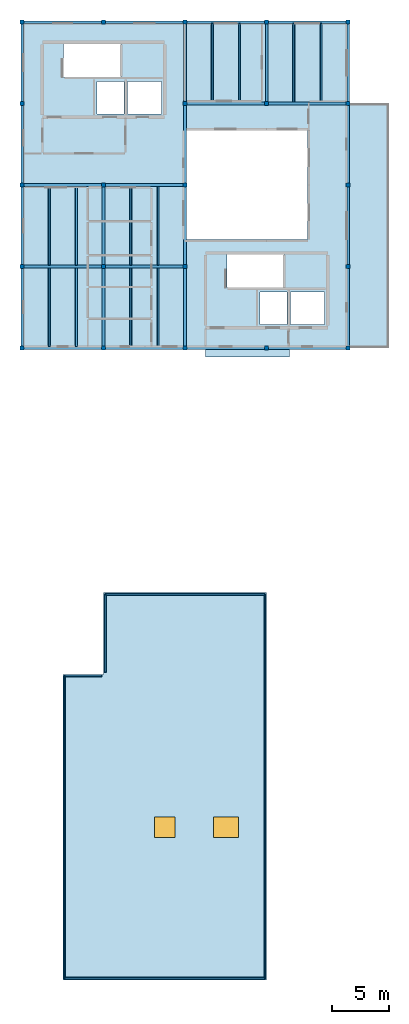
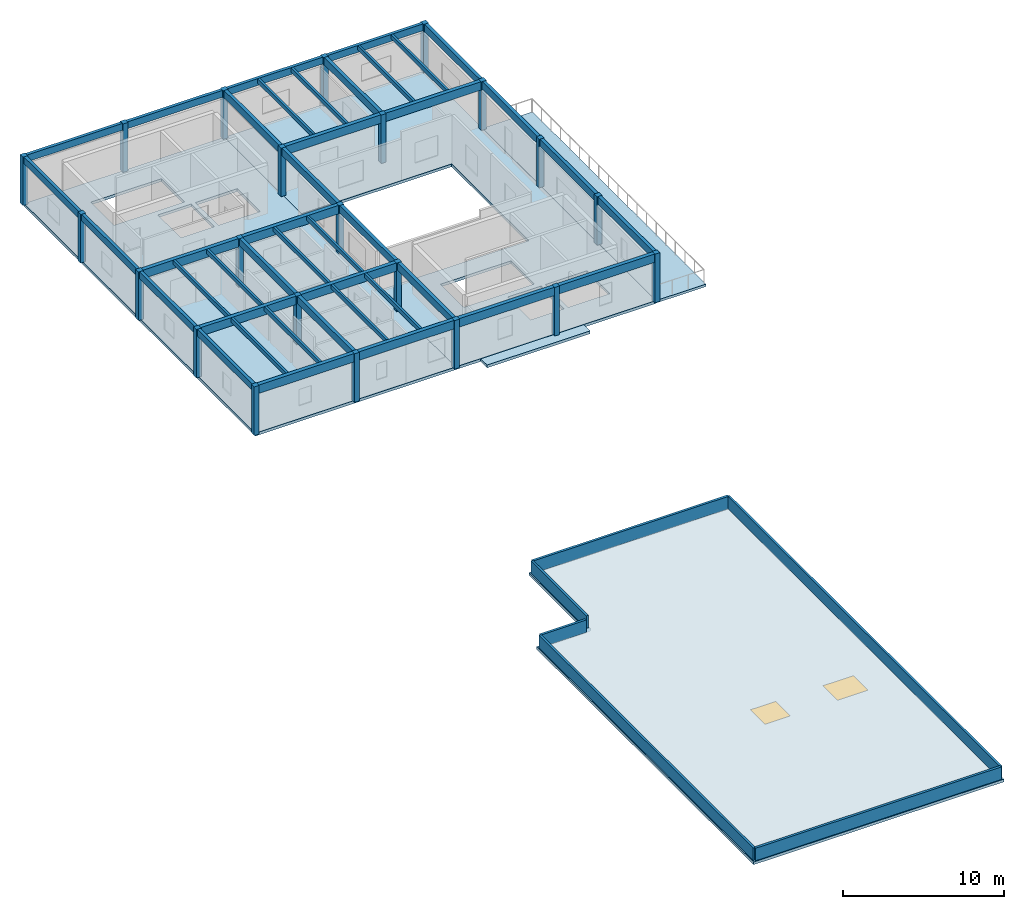
# One storey, part 1 of 5: 41 beams, 22 columns, 6 walls, 5 slabs, 2 windows, 2 openings.
"""IFC4 building model written with IfcOpenShell, lengths in metres."""

from ifc_helpers import new_model, si_unit, direction, frame, frame_2d, origin, origin_2d, place, context, subcontext, project, spatial, polyline, rectangle, outline, extrude, material, layer, layer_set, material_profile, profile_set, type_object, element, fill, save


model = new_model("IFC4")

# Units and contexts
model_context = context("Model", 3, precision=1e-05, world=origin(), true_north=direction((0.0, 1.0)))
body_context = subcontext(model_context, "Body", "Model", "MODEL_VIEW")
ifc_project = project(units=[si_unit("LENGTHUNIT", "METRE"), si_unit("AREAUNIT", "SQUARE_METRE"), si_unit("VOLUMEUNIT", "CUBIC_METRE"), si_unit("PLANEANGLEUNIT", "RADIAN"), si_unit("MASSUNIT", "GRAM", prefix="KILO")], contexts=[model_context])

# Site, building, storey
site_placement = place(None, origin())
site = spatial("IfcSite", under=ifc_project, at=site_placement, CompositionType="ELEMENT")
building_placement = place(site_placement, origin())
building = spatial("IfcBuilding", under=site, at=building_placement, Name="Bramvelor Terrace Health Centre", CompositionType="ELEMENT")
storey_placement = place(building_placement, frame((0.0, 0.0, 21.60009765625)))
storey = spatial("IfcBuildingStorey", under=building, at=storey_placement, Name="L06", CompositionType="ELEMENT", Elevation=21.60009765625)

# Columns
ifc_material_1 = material(Name="Glulam GL28h", Category="wood")
ifc_material_profile_1 = material_profile(ifc_material_1, rectangle(XDim=0.360107421875, YDim=0.360107421875, at=origin_2d()), Name="GL 360x360")
ifc_profile_set_1 = profile_set([ifc_material_profile_1], Name="Glulam GL28h")
column_type_1 = type_object("IfcColumnType", Name="COL-GL-360", PredefinedType="COLUMN", material=ifc_profile_set_1)
for number, where, z_axis, x_axis, name in (
    (1, (7.199951171875, 86.39990234375, 0.0), (0.0, 0.0, 1.0), (1.0, 0.0, 0.0), "L06 Column (7.2, 86.4)"),
    (2, (7.199951171875, 93.60009765625, 0.0), (0.0, 0.0, 1.0), (1.0, 0.0, 0.0), "L06 Column (7.2, 93.6)"),
    (3, (7.199951171875, 100.800048828125, 0.0), (0.0, 0.0, 1.0), (1.0, 0.0, 0.0), "L06 Column (7.2, 100.8)"),
    (4, (14.39990234375, 86.39990234375, 0.0), (0.0, 0.0, 1.0), (1.0, 0.0, 0.0), "L06 Column (14.4, 86.4)"),
    (5, (14.39990234375, 93.60009765625, 0.0), (0.0, 0.0, 1.0), (1.0, 0.0, 0.0), "L06 Column (14.4, 93.6)"),
    (6, (14.39990234375, 100.800048828125, 0.0), (0.0, 0.0, 1.0), (1.0, 0.0, 0.0), "L06 Column (14.4, 100.8)"),
    (7, (14.39990234375, 108.0, 0.0), (0.0, 0.0, 1.0), (1.0, 0.0, 0.0), "L06 Column (14.4, 108.0)"),
    (8, (21.60009765625, 86.39990234375, 0.0), (0.0, 0.0, 1.0), (1.0, 0.0, 0.0), "L06 Column (21.6, 86.4)"),
    (9, (21.60009765625, 108.0, 0.0), (0.0, 0.0, 1.0), (1.0, 0.0, 0.0), "L06 Column (21.6, 108.0)"),
    (10, (28.800048828125, 86.39990234375, 0.0), (0.0, 0.0, 1.0), (1.0, 0.0, 0.0), "L06 Column (28.8, 86.4)"),
    (11, (28.800048828125, 93.60009765625, 0.0), (0.0, 0.0, 1.0), (1.0, 0.0, 0.0), "L06 Column (28.8, 93.6)"),
    (12, (28.800048828125, 100.800048828125, 0.0), (0.0, 0.0, 1.0), (1.0, 0.0, 0.0), "L06 Column (28.8, 100.8)"),
    (13, (28.800048828125, 108.0, 0.0), (0.0, 0.0, 1.0), (1.0, 0.0, 0.0), "L06 Column (28.8, 108.0)"),
):
    element("IfcColumn", number, at=place(storey_placement, frame(where, z_axis=z_axis, x_axis=x_axis)), inside=storey, type_object=column_type_1, Name=name, PredefinedType="COLUMN", context=body_context, shape_type="SweptSolid", body=[
        extrude(rectangle(XDim=0.360107421875, YDim=0.360107421875, at=origin_2d()), origin(), (0.0, 0.0, 1.0), 3.68994140625),
    ])
ifc_material_2 = material(Name="Glulam GL28h", Category="wood")
ifc_material_profile_2 = material_profile(ifc_material_2, rectangle(XDim=0.360107421875, YDim=0.360107421875, at=origin_2d()), Name="GL 360x360")
ifc_profile_set_2 = profile_set([ifc_material_profile_2], Name="Glulam GL28h")
column_type_2 = type_object("IfcColumnType", Name="COL-GL-360-EXT", PredefinedType="COLUMN", material=ifc_profile_set_2)
for number, where, z_axis, x_axis, name in (
    (14, (0.0, 86.39990234375, 0.0), (0.0, 0.0, 1.0), (1.0, 0.0, 0.0), "L06 Column (0.0, 86.4)"),
    (15, (0.0, 93.60009765625, 0.0), (0.0, 0.0, 1.0), (1.0, 0.0, 0.0), "L06 Column (0.0, 93.6)"),
    (16, (0.0, 100.800048828125, 0.0), (0.0, 0.0, 1.0), (1.0, 0.0, 0.0), "L06 Column (0.0, 100.8)"),
    (17, (0.0, 108.0, 0.0), (0.0, 0.0, 1.0), (1.0, 0.0, 0.0), "L06 Column (0.0, 108.0)"),
    (18, (0.0, 115.199951171875, 0.0), (0.0, 0.0, 1.0), (1.0, 0.0, 0.0), "L06 Column (0.0, 115.2)"),
    (19, (7.199951171875, 115.199951171875, 0.0), (0.0, 0.0, 1.0), (1.0, 0.0, 0.0), "L06 Column (7.2, 115.2)"),
    (20, (14.39990234375, 115.199951171875, 0.0), (0.0, 0.0, 1.0), (1.0, 0.0, 0.0), "L06 Column (14.4, 115.2)"),
    (21, (21.60009765625, 115.199951171875, 0.0), (0.0, 0.0, 1.0), (1.0, 0.0, 0.0), "L06 Column (21.6, 115.2)"),
    (22, (28.800048828125, 115.199951171875, 0.0), (0.0, 0.0, 1.0), (1.0, 0.0, 0.0), "L06 Column (28.8, 115.2)"),
):
    element("IfcColumn", number, at=place(storey_placement, frame(where, z_axis=z_axis, x_axis=x_axis)), inside=storey, type_object=column_type_2, Name=name, PredefinedType="COLUMN", context=body_context, shape_type="SweptSolid", body=[
        extrude(rectangle(XDim=0.360107421875, YDim=0.360107421875, at=origin_2d()), origin(), (0.0, 0.0, 1.0), 3.68994140625),
    ])

# Beams
ifc_material_3 = material(Name="Glulam GL28h", Category="wood")
ifc_material_profile_3 = material_profile(ifc_material_3, rectangle(XDim=0.239990234375, YDim=0.56005859375, at=origin_2d()), Name="GL 240x560")
ifc_profile_set_3 = profile_set([ifc_material_profile_3], Name="Glulam GL28h")
beam_type_1 = type_object("IfcBeamType", Name="BM-GL-G560", PredefinedType="BEAM", material=ifc_profile_set_3)
beam_1_placement = place(storey_placement, frame((7.199951171875, 86.580078125, 3.409912109375), z_axis=(0.0, 1.0, 0.0), x_axis=(-1.0, 0.0, 0.0)))
element("IfcBeam", 23, at=beam_1_placement, inside=storey, type_object=beam_type_1, Name="L06 Floor Girder", PredefinedType="BEAM", context=body_context, shape_type="SweptSolid", body=[
    extrude(rectangle(XDim=0.239990234375, YDim=0.56005859375, at=origin_2d()), origin(), (0.0, 0.0, 1.0), 6.83984375),
])
beam_2_placement = place(storey_placement, frame((7.199951171875, 93.780029296875, 3.409912109375), z_axis=(0.0, 1.0, 0.0), x_axis=(-1.0, 0.0, 0.0)))
element("IfcBeam", 24, at=beam_2_placement, inside=storey, type_object=beam_type_1, Name="L06 Floor Girder", PredefinedType="BEAM", context=body_context, shape_type="SweptSolid", body=[
    extrude(rectangle(XDim=0.239990234375, YDim=0.56005859375, at=origin_2d()), origin(), (0.0, 0.0, 1.0), 6.840087890625),
])
beam_3_placement = place(storey_placement, frame((14.39990234375, 86.580078125, 3.409912109375), z_axis=(0.0, 1.0, 0.0), x_axis=(-1.0, 0.0, 0.0)))
element("IfcBeam", 25, at=beam_3_placement, inside=storey, type_object=beam_type_1, Name="L06 Floor Girder", PredefinedType="BEAM", context=body_context, shape_type="SweptSolid", body=[
    extrude(rectangle(XDim=0.239990234375, YDim=0.56005859375, at=origin_2d()), origin(), (0.0, 0.0, 1.0), 6.83984375),
])
for number, where, z_axis, x_axis, name in (
    (26, (14.39990234375, 93.780029296875, 3.409912109375), (0.0, 1.0, 0.0), (-1.0, 0.0, 0.0), "L06 Floor Girder"),
    (27, (14.39990234375, 100.97998046875, 3.409912109375), (0.0, 1.0, 0.0), (-1.0, 0.0, 0.0), "L06 Floor Girder"),
    (28, (14.39990234375, 108.179931640625, 3.409912109375), (0.0, 1.0, 0.0), (-1.0, 0.0, 0.0), "L06 Floor Girder"),
    (29, (21.60009765625, 108.179931640625, 3.409912109375), (0.0, 1.0, 0.0), (-1.0, 0.0, 0.0), "L06 Floor Girder"),
):
    element("IfcBeam", number, at=place(storey_placement, frame(where, z_axis=z_axis, x_axis=x_axis)), inside=storey, type_object=beam_type_1, Name=name, PredefinedType="BEAM", context=body_context, shape_type="SweptSolid", body=[
        extrude(rectangle(XDim=0.239990234375, YDim=0.56005859375, at=origin_2d()), origin(), (0.0, 0.0, 1.0), 6.840087890625),
    ])
beam_4_placement = place(storey_placement, frame((28.800048828125, 86.580078125, 3.409912109375), z_axis=(0.0, 1.0, 0.0), x_axis=(-1.0, 0.0, 0.0)))
element("IfcBeam", 30, at=beam_4_placement, inside=storey, type_object=beam_type_1, Name="L06 Floor Girder", PredefinedType="BEAM", context=body_context, shape_type="SweptSolid", body=[
    extrude(rectangle(XDim=0.239990234375, YDim=0.56005859375, at=origin_2d()), origin(), (0.0, 0.0, 1.0), 6.83984375),
])
for number, where, z_axis, x_axis, name in (
    (31, (28.800048828125, 93.780029296875, 3.409912109375), (0.0, 1.0, 0.0), (-1.0, 0.0, 0.0), "L06 Floor Girder"),
    (32, (28.800048828125, 100.97998046875, 3.409912109375), (0.0, 1.0, 0.0), (-1.0, 0.0, 0.0), "L06 Floor Girder"),
    (33, (28.800048828125, 108.179931640625, 3.409912109375), (0.0, 1.0, 0.0), (-1.0, 0.0, 0.0), "L06 Floor Girder"),
):
    element("IfcBeam", number, at=place(storey_placement, frame(where, z_axis=z_axis, x_axis=x_axis)), inside=storey, type_object=beam_type_1, Name=name, PredefinedType="BEAM", context=body_context, shape_type="SweptSolid", body=[
        extrude(rectangle(XDim=0.239990234375, YDim=0.56005859375, at=origin_2d()), origin(), (0.0, 0.0, 1.0), 6.840087890625),
    ])
ifc_material_4 = material(Name="Glulam GL28h", Category="wood")
ifc_material_profile_4 = material_profile(ifc_material_4, rectangle(XDim=0.280029296875, YDim=0.639892578125, at=origin_2d()), Name="GL 280x640")
ifc_profile_set_4 = profile_set([ifc_material_profile_4], Name="Glulam GL28h")
beam_type_2 = type_object("IfcBeamType", Name="BM-GL-G640", PredefinedType="BEAM", material=ifc_profile_set_4)
for number, where, z_axis, x_axis, name in (
    (34, (0.179931640625, 86.39990234375, 3.369873046875), (1.0, 0.0, 0.0), (0.0, 1.0, 0.0), "L06 Floor Girder"),
    (35, (0.179931640625, 93.60009765625, 3.369873046875), (1.0, 0.0, 0.0), (0.0, 1.0, 0.0), "L06 Floor Girder"),
    (36, (0.179931640625, 100.800048828125, 3.369873046875), (1.0, 0.0, 0.0), (0.0, 1.0, 0.0), "L06 Floor Girder"),
    (37, (7.3798828125, 86.39990234375, 3.369873046875), (1.0, 0.0, 0.0), (0.0, 1.0, 0.0), "L06 Floor Girder"),
    (38, (7.3798828125, 93.60009765625, 3.369873046875), (1.0, 0.0, 0.0), (0.0, 1.0, 0.0), "L06 Floor Girder"),
    (39, (7.3798828125, 100.800048828125, 3.369873046875), (1.0, 0.0, 0.0), (0.0, 1.0, 0.0), "L06 Floor Girder"),
):
    element("IfcBeam", number, at=place(storey_placement, frame(where, z_axis=z_axis, x_axis=x_axis)), inside=storey, type_object=beam_type_2, Name=name, PredefinedType="BEAM", context=body_context, shape_type="SweptSolid", body=[
        extrude(rectangle(XDim=0.280029296875, YDim=0.639892578125, at=origin_2d()), origin(), (0.0, 0.0, 1.0), 6.840087890625),
    ])
for number, where, z_axis, x_axis, name in (
    (40, (14.580078125, 86.39990234375, 3.369873046875), (1.0, 0.0, 0.0), (0.0, 1.0, 0.0), "L06 Floor Girder"),
    (41, (14.580078125, 108.0, 3.369873046875), (1.0, 0.0, 0.0), (0.0, 1.0, 0.0), "L06 Floor Girder"),
):
    element("IfcBeam", number, at=place(storey_placement, frame(where, z_axis=z_axis, x_axis=x_axis)), inside=storey, type_object=beam_type_2, Name=name, PredefinedType="BEAM", context=body_context, shape_type="SweptSolid", body=[
        extrude(rectangle(XDim=0.280029296875, YDim=0.639892578125, at=origin_2d()), origin(), (0.0, 0.0, 1.0), 6.83984375),
    ])
for number, where, z_axis, x_axis, name in (
    (42, (21.780029296875, 86.39990234375, 3.369873046875), (1.0, 0.0, 0.0), (0.0, 1.0, 0.0), "L06 Floor Girder"),
    (43, (21.780029296875, 108.0, 3.369873046875), (1.0, 0.0, 0.0), (0.0, 1.0, 0.0), "L06 Floor Girder"),
):
    element("IfcBeam", number, at=place(storey_placement, frame(where, z_axis=z_axis, x_axis=x_axis)), inside=storey, type_object=beam_type_2, Name=name, PredefinedType="BEAM", context=body_context, shape_type="SweptSolid", body=[
        extrude(rectangle(XDim=0.280029296875, YDim=0.639892578125, at=origin_2d()), origin(), (0.0, 0.0, 1.0), 6.840087890625),
    ])
ifc_material_5 = material(Name="Glulam GL28h", Category="wood")
ifc_material_profile_5 = material_profile(ifc_material_5, rectangle(XDim=0.159912109375, YDim=0.320068359375, at=origin_2d()), Name="GL 160x320")
ifc_profile_set_5 = profile_set([ifc_material_profile_5], Name="Glulam GL28h")
beam_type_3 = type_object("IfcBeamType", Name="BM-GL-J320", PredefinedType="JOIST", material=ifc_profile_set_5)
for number, where, z_axis, x_axis, name in (
    (44, (2.39990234375, 86.5400390625, 3.52978515625), (0.0, 1.0, 0.0), (-1.0, 0.0, 0.0), "L06 Secondary Floor Joist"),
    (45, (4.800048828125, 86.5400390625, 3.52978515625), (0.0, 1.0, 0.0), (-1.0, 0.0, 0.0), "L06 Secondary Floor Joist"),
    (46, (2.39990234375, 93.739990234375, 3.52978515625), (0.0, 1.0, 0.0), (-1.0, 0.0, 0.0), "L06 Secondary Floor Joist"),
    (47, (4.800048828125, 93.739990234375, 3.52978515625), (0.0, 1.0, 0.0), (-1.0, 0.0, 0.0), "L06 Secondary Floor Joist"),
    (48, (9.60009765625, 86.5400390625, 3.52978515625), (0.0, 1.0, 0.0), (-1.0, 0.0, 0.0), "L06 Secondary Floor Joist"),
    (49, (12.0, 86.5400390625, 3.52978515625), (0.0, 1.0, 0.0), (-1.0, 0.0, 0.0), "L06 Secondary Floor Joist"),
    (50, (9.60009765625, 93.739990234375, 3.52978515625), (0.0, 1.0, 0.0), (-1.0, 0.0, 0.0), "L06 Secondary Floor Joist"),
    (51, (12.0, 93.739990234375, 3.52978515625), (0.0, 1.0, 0.0), (-1.0, 0.0, 0.0), "L06 Secondary Floor Joist"),
):
    element("IfcBeam", number, at=place(storey_placement, frame(where, z_axis=z_axis, x_axis=x_axis)), inside=storey, type_object=beam_type_3, Name=name, PredefinedType="JOIST", context=body_context, shape_type="SweptSolid", body=[
        extrude(rectangle(XDim=0.159912109375, YDim=0.320068359375, at=origin_2d()), origin(), (0.0, 0.0, 1.0), 6.919921875),
    ])
for number, where, z_axis, x_axis, name in (
    (52, (16.800048828125, 108.139892578125, 3.52978515625), (0.0, 1.0, 0.0), (-1.0, 0.0, 0.0), "L06 Secondary Floor Joist"),
    (53, (19.199951171875, 108.139892578125, 3.52978515625), (0.0, 1.0, 0.0), (-1.0, 0.0, 0.0), "L06 Secondary Floor Joist"),
    (54, (24.0, 108.139892578125, 3.52978515625), (0.0, 1.0, 0.0), (-1.0, 0.0, 0.0), "L06 Secondary Floor Joist"),
    (55, (26.39990234375, 108.139892578125, 3.52978515625), (0.0, 1.0, 0.0), (-1.0, 0.0, 0.0), "L06 Secondary Floor Joist"),
):
    element("IfcBeam", number, at=place(storey_placement, frame(where, z_axis=z_axis, x_axis=x_axis)), inside=storey, type_object=beam_type_3, Name=name, PredefinedType="JOIST", context=body_context, shape_type="SweptSolid", body=[
        extrude(rectangle(XDim=0.159912109375, YDim=0.320068359375, at=origin_2d()), origin(), (0.0, 0.0, 1.0), 6.9501953125),
    ])
ifc_material_6 = material(Name="Glulam GL28h", Category="wood")
ifc_material_profile_6 = material_profile(ifc_material_6, rectangle(XDim=0.219970703125, YDim=0.52001953125, at=origin_2d()), Name="GL 220x520")
ifc_profile_set_6 = profile_set([ifc_material_profile_6], Name="Glulam GL28h")
beam_type_4 = type_object("IfcBeamType", Name="BM-GL-SP520-EXT", PredefinedType="SPANDREL", material=ifc_profile_set_6)
beam_5_placement = place(storey_placement, frame((0.0, 86.580078125, 3.429931640625), z_axis=(0.0, 1.0, 0.0), x_axis=(-1.0, 0.0, 0.0)))
element("IfcBeam", 56, at=beam_5_placement, inside=storey, type_object=beam_type_4, Name="L06 Floor Girder", PredefinedType="SPANDREL", context=body_context, shape_type="SweptSolid", body=[
    extrude(rectangle(XDim=0.219970703125, YDim=0.52001953125, at=origin_2d()), origin(), (0.0, 0.0, 1.0), 6.83984375),
])
for number, where, z_axis, x_axis, name in (
    (57, (0.0, 93.780029296875, 3.429931640625), (0.0, 1.0, 0.0), (-1.0, 0.0, 0.0), "L06 Floor Girder"),
    (58, (0.0, 100.97998046875, 3.429931640625), (0.0, 1.0, 0.0), (-1.0, 0.0, 0.0), "L06 Floor Girder"),
    (59, (0.0, 108.179931640625, 3.429931640625), (0.0, 1.0, 0.0), (-1.0, 0.0, 0.0), "L06 Floor Girder"),
    (60, (0.179931640625, 115.199951171875, 3.429931640625), (1.0, 0.0, 0.0), (0.0, 1.0, 0.0), "L06 Floor Girder"),
    (61, (7.3798828125, 115.199951171875, 3.429931640625), (1.0, 0.0, 0.0), (0.0, 1.0, 0.0), "L06 Floor Girder"),
):
    element("IfcBeam", number, at=place(storey_placement, frame(where, z_axis=z_axis, x_axis=x_axis)), inside=storey, type_object=beam_type_4, Name=name, PredefinedType="SPANDREL", context=body_context, shape_type="SweptSolid", body=[
        extrude(rectangle(XDim=0.219970703125, YDim=0.52001953125, at=origin_2d()), origin(), (0.0, 0.0, 1.0), 6.840087890625),
    ])
beam_6_placement = place(storey_placement, frame((14.580078125, 115.199951171875, 3.429931640625), z_axis=(1.0, 0.0, 0.0), x_axis=(0.0, 1.0, 0.0)))
element("IfcBeam", 62, at=beam_6_placement, inside=storey, type_object=beam_type_4, Name="L06 Floor Girder", PredefinedType="SPANDREL", context=body_context, shape_type="SweptSolid", body=[
    extrude(rectangle(XDim=0.219970703125, YDim=0.52001953125, at=origin_2d()), origin(), (0.0, 0.0, 1.0), 6.83984375),
])
beam_7_placement = place(storey_placement, frame((21.780029296875, 115.199951171875, 3.429931640625), z_axis=(1.0, 0.0, 0.0), x_axis=(0.0, 1.0, 0.0)))
element("IfcBeam", 63, at=beam_7_placement, inside=storey, type_object=beam_type_4, Name="L06 Floor Girder", PredefinedType="SPANDREL", context=body_context, shape_type="SweptSolid", body=[
    extrude(rectangle(XDim=0.219970703125, YDim=0.52001953125, at=origin_2d()), origin(), (0.0, 0.0, 1.0), 6.840087890625),
])

# Slabs
ifc_material_7 = material(Name="Cross-laminated timber C24", Category="wood")
ifc_layer_1 = layer(ifc_material_7, 0.18994140625)
ifc_layer_set_1 = layer_set([ifc_layer_1], Name="Cross-laminated timber C24")
slab_type_1 = type_object("IfcSlabType", Name="SLB-EXT-CLT-190", PredefinedType="FLOOR", material=ifc_layer_set_1)
slab_1_placement = place(storey_placement, frame((0.0, 0.0, -0.190185546875)))
element("IfcSlab", 64, at=slab_1_placement, inside=storey, type_object=slab_type_1, Name="L06 V4 Step4 Exterior Slab", PredefinedType="FLOOR", context=body_context, shape_type="SweptSolid", body=[
    extrude(outline(polyline([(32.39990234375, 108.0), (32.39990234375, 86.39990234375), (28.804931640625, 86.39990234375), (28.804931640625, 108.0), (32.39990234375, 108.0)])), origin(), (0.0, 0.0, 1.0), 0.190185546875),
])
ifc_material_8 = material(Name="Cross-laminated timber C24", Category="wood")
ifc_layer_2 = layer(ifc_material_8, 0.2099609375)
ifc_layer_set_2 = layer_set([ifc_layer_2], Name="Cross-laminated timber C24")
slab_type_2 = type_object("IfcSlabType", Name="SLB-FLR-CLT210", PredefinedType="FLOOR", material=ifc_layer_set_2)
slab_2_placement = place(storey_placement, frame((0.0, 0.0, -0.210205078125)))
element("IfcSlab", 65, at=slab_2_placement, inside=storey, type_object=slab_type_2, Name="L06 V4_E Floor Slab", PredefinedType="FLOOR", context=body_context, shape_type="SweptSolid", body=[
    extrude(outline(polyline([(14.39990234375, 96.0), (25.199951171875, 96.0), (25.199951171875, 105.60009765625), (14.39990234375, 105.60009765625), (14.39990234375, 115.199951171875), (28.800048828125, 115.199951171875), (28.800048828125, 86.39990234375), (14.39990234375, 86.39990234375), (14.39990234375, 96.0)]), holes=[polyline([(18.080078125, 91.75), (23.14990234375, 91.75), (23.14990234375, 94.64990234375), (18.080078125, 94.64990234375), (18.080078125, 91.75)]), polyline([(21.0, 91.35009765625), (21.0, 88.5), (23.39990234375, 88.5), (23.39990234375, 91.35009765625), (21.0, 91.35009765625)]), polyline([(26.699951171875, 91.35009765625), (23.699951171875, 91.35009765625), (23.699951171875, 88.5), (26.699951171875, 88.5), (26.699951171875, 91.35009765625)])]), origin(), (0.0, 0.0, 1.0), 0.210205078125),
])
slab_3_placement = place(storey_placement, frame((0.0, 0.0, -0.210205078125)))
element("IfcSlab", 66, at=slab_3_placement, inside=storey, type_object=slab_type_2, Name="L06 V4_W Floor Slab", PredefinedType="FLOOR", context=body_context, shape_type="SweptSolid", body=[
    extrude(outline(polyline([(14.39990234375, 86.39990234375), (10.800048828125, 86.39990234375), (0.0, 86.39990234375), (0.0, 115.199951171875), (14.39990234375, 115.199951171875), (14.39990234375, 105.60009765625), (14.39990234375, 96.0), (14.39990234375, 86.39990234375)]), holes=[polyline([(3.679931640625, 110.35009765625), (8.75, 110.35009765625), (8.75, 113.25), (3.679931640625, 113.25), (3.679931640625, 110.35009765625)]), polyline([(6.60009765625, 109.949951171875), (6.60009765625, 107.10009765625), (9.0, 107.10009765625), (9.0, 109.949951171875), (6.60009765625, 109.949951171875)]), polyline([(12.300048828125, 109.949951171875), (9.300048828125, 109.949951171875), (9.300048828125, 107.10009765625), (12.300048828125, 107.10009765625), (12.300048828125, 109.949951171875)])]), origin(), (0.0, 0.0, 1.0), 0.210205078125),
])

# Slab, openings, windows
ifc_material_9 = material(Name="Cross-laminated timber C24", Category="wood")
ifc_layer_3 = layer(ifc_material_9, 0.2099609375)
ifc_layer_set_3 = layer_set([ifc_layer_3], Name="Cross-laminated timber C24")
slab_type_3 = type_object("IfcSlabType", Name="SLB-RF-CLT210", PredefinedType="ROOF", material=ifc_layer_set_3)
slab_4_placement = place(storey_placement, frame((0.0, 0.0, -0.210205078125)))
slab_4 = element("IfcSlab", 67, at=slab_4_placement, inside=storey, type_object=slab_type_3, Name="L06 Insulated Maintenance Roof 1", PredefinedType="ROOF", context=body_context, shape_type="SweptSolid", body=[
    extrude(outline(polyline([(7.199951171875, 57.60009765625), (7.199951171875, 64.800048828125), (21.60009765625, 64.800048828125), (21.60009765625, 30.60009765625), (3.60009765625, 30.60009765625), (3.60009765625, 57.60009765625), (7.199951171875, 57.60009765625)])), origin(), (0.0, 0.0, 1.0), 0.210205078125),
])
opening_1_placement = place(slab_4_placement, frame((12.60009765625, 44.10009765625, 0.0)))
opening_1 = element("IfcOpeningElement", 68, at=opening_1_placement, cuts=slab_4, Name="Opening SK-1", PredefinedType="OPENING", context=body_context, shape_type="SweptSolid", body=[
    extrude(rectangle(XDim=1.800048828125, YDim=1.800048828125, at=origin_2d()), origin(), (0.0, 0.0, 1.0), 0.210205078125),
])
opening_2_placement = place(slab_4_placement, frame((18.0, 44.10009765625, 0.0)))
opening_2 = element("IfcOpeningElement", 69, at=opening_2_placement, cuts=slab_4, Name="Opening SK-2", PredefinedType="OPENING", context=body_context, shape_type="SweptSolid", body=[
    extrude(rectangle(XDim=2.199951171875, YDim=1.800048828125, at=origin_2d()), origin(), (0.0, 0.0, 1.0), 0.210205078125),
])
ifc_material_10 = material(Name="Double low-E laminated glass", Category="glass")
window_type_1 = type_object("IfcWindowType", Name="SKL-MON-1", PartitioningType="SINGLE_PANEL", PredefinedType="SKYLIGHT", material=ifc_material_10)
window_1_placement = place(opening_1_placement, frame((0.0, 0.0, 0.16015625)))
window_1 = element("IfcWindow", 70, at=window_1_placement, inside=storey, type_object=window_type_1, Name="L06 Clinical Daylight Monitor Skylight 7", OverallHeight=1.800048828125, OverallWidth=1.800048828125, PartitioningType="SINGLE_PANEL", PredefinedType="SKYLIGHT", context=body_context, shape_type="SweptSolid", body=[
    extrude(rectangle(XDim=1.800048828125, YDim=1.800048828125, at=origin_2d()), origin(), (0.0, 0.0, 1.0), 0.050048828125),
])
fill(opening_1, window_1)
ifc_material_11 = material(Name="Double low-E laminated glass", Category="glass")
window_type_2 = type_object("IfcWindowType", Name="SKL-MON-2", PartitioningType="SINGLE_PANEL", PredefinedType="SKYLIGHT", material=ifc_material_11)
window_2_placement = place(opening_2_placement, frame((0.0, 0.0, 0.16015625)))
window_2 = element("IfcWindow", 71, at=window_2_placement, inside=storey, type_object=window_type_2, Name="L06 Clinical Daylight Monitor Skylight 8", OverallHeight=1.800048828125, OverallWidth=2.199951171875, PartitioningType="SINGLE_PANEL", PredefinedType="SKYLIGHT", context=body_context, shape_type="SweptSolid", body=[
    extrude(rectangle(XDim=2.199951171875, YDim=1.800048828125, at=origin_2d()), origin(), (0.0, 0.0, 1.0), 0.050048828125),
])
fill(opening_2, window_2)

# Slab
slab_5_placement = place(storey_placement, frame((0.0, 0.0, -0.210205078125)))
element("IfcSlab", 72, at=slab_5_placement, inside=storey, type_object=slab_type_3, Name="L06 Insulated Maintenance Roof 3", PredefinedType="ROOF", context=body_context, shape_type="SweptSolid", body=[
    extrude(outline(polyline([(23.60009765625, 86.389892578125), (23.60009765625, 85.60009765625), (16.199951171875, 85.60009765625), (16.199951171875, 86.389892578125), (23.60009765625, 86.389892578125)])), origin(), (0.0, 0.0, 1.0), 0.210205078125),
])

# Walls
ifc_material_12 = material(Name="Precast concrete C40/50", Category="concrete")
ifc_layer_4 = layer(ifc_material_12, 0.155029296875)
ifc_layer_set_4 = layer_set([ifc_layer_4], Name="Precast concrete C40/50")
wall_type_1 = type_object("IfcWallType", Name="WL-PAR-155", PredefinedType="PARAPET", material=ifc_layer_set_4)
wall_1_placement = place(storey_placement, frame((7.340087890625, 57.760009765625, 0.0), z_axis=(0.0, 0.0, 1.0), x_axis=(0.0, 1.0, 0.0)))
element("IfcWall", 73, at=wall_1_placement, inside=storey, type_object=wall_type_1, Name="L06 Roof Parapet Upstand 37", PredefinedType="PARAPET", context=body_context, shape_type="SweptSolid", body=[
    extrude(rectangle(XDim=6.8798828125, YDim=0.155029296875, at=frame_2d((3.43994140625, 0.0))), origin(), (0.0, 0.0, 1.0), 0.949951171875),
])
wall_2_placement = place(storey_placement, frame((21.4599609375, 64.639892578125, 0.0), z_axis=(0.0, 0.0, 1.0), x_axis=(0.0, -1.0, 0.0)))
element("IfcWall", 74, at=wall_2_placement, inside=storey, type_object=wall_type_1, Name="L06 Roof Parapet Upstand 39", PredefinedType="PARAPET", context=body_context, shape_type="SweptSolid", body=[
    extrude(rectangle(XDim=33.8798828125, YDim=0.155029296875, at=frame_2d((16.93994140625, 0.0))), origin(), (0.0, 0.0, 1.0), 0.949951171875),
])
wall_3_placement = place(storey_placement, frame((3.739990234375, 30.760009765625, 0.0), z_axis=(0.0, 0.0, 1.0), x_axis=(0.0, 1.0, 0.0)))
element("IfcWall", 75, at=wall_3_placement, inside=storey, type_object=wall_type_1, Name="L06 Roof Parapet Upstand 41", PredefinedType="PARAPET", context=body_context, shape_type="SweptSolid", body=[
    extrude(rectangle(XDim=26.679931640625, YDim=0.155029296875, at=frame_2d((13.33984375, 0.0))), origin(), (0.0, 0.0, 1.0), 0.949951171875),
])
ifc_material_13 = material(Name="Precast concrete C40/50", Category="concrete")
ifc_layer_5 = layer(ifc_material_13, 0.175048828125)
ifc_layer_set_5 = layer_set([ifc_layer_5], Name="Precast concrete C40/50")
wall_type_2 = type_object("IfcWallType", Name="WL-PAR-175", PredefinedType="PARAPET", material=ifc_layer_set_5)
wall_4_placement = place(storey_placement, frame((7.360107421875, 64.659912109375, 0.0), z_axis=(0.0, 0.0, 1.0), x_axis=(1.0, 0.0, 0.0)))
element("IfcWall", 76, at=wall_4_placement, inside=storey, type_object=wall_type_2, Name="L06 Roof Parapet Upstand 38", PredefinedType="PARAPET", context=body_context, shape_type="SweptSolid", body=[
    extrude(rectangle(XDim=14.079833984375, YDim=0.175048828125, at=frame_2d((7.0400390625, 0.0))), origin(), (0.0, 0.0, 1.0), 0.949951171875),
])
wall_5_placement = place(storey_placement, frame((21.43994140625, 30.739990234375, 0.0), z_axis=(0.0, 0.0, 1.0), x_axis=(-1.0, 0.0, 0.0)))
element("IfcWall", 77, at=wall_5_placement, inside=storey, type_object=wall_type_2, Name="L06 Roof Parapet Upstand 40", PredefinedType="PARAPET", context=body_context, shape_type="SweptSolid", body=[
    extrude(rectangle(XDim=17.679931640625, YDim=0.175048828125, at=frame_2d((8.83984375, 0.0))), origin(), (0.0, 0.0, 1.0), 0.949951171875),
])
wall_6_placement = place(storey_placement, frame((3.760009765625, 57.4599609375, 0.0), z_axis=(0.0, 0.0, 1.0), x_axis=(1.0, 0.0, 0.0)))
element("IfcWall", 78, at=wall_6_placement, inside=storey, type_object=wall_type_2, Name="L06 Roof Parapet Upstand 42", PredefinedType="PARAPET", context=body_context, shape_type="SweptSolid", body=[
    extrude(rectangle(XDim=3.280029296875, YDim=0.175048828125, at=frame_2d((1.64013671875, 0.0))), origin(), (0.0, 0.0, 1.0), 0.949951171875),
])

save(model, "model.ifc")
